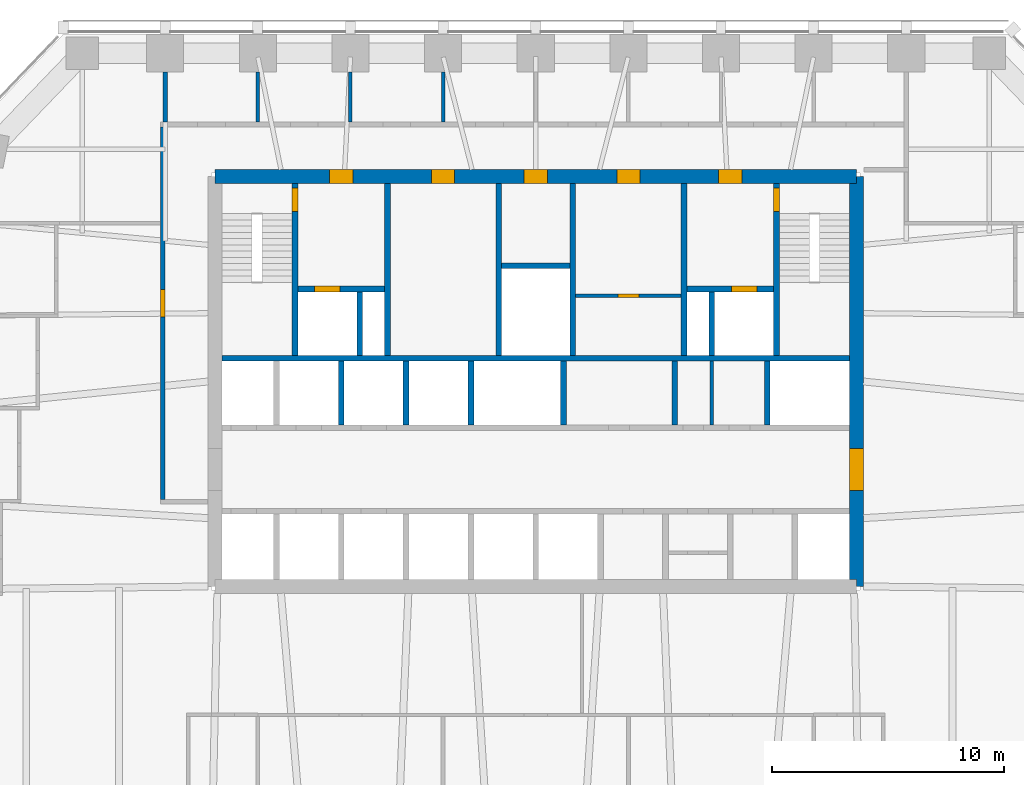
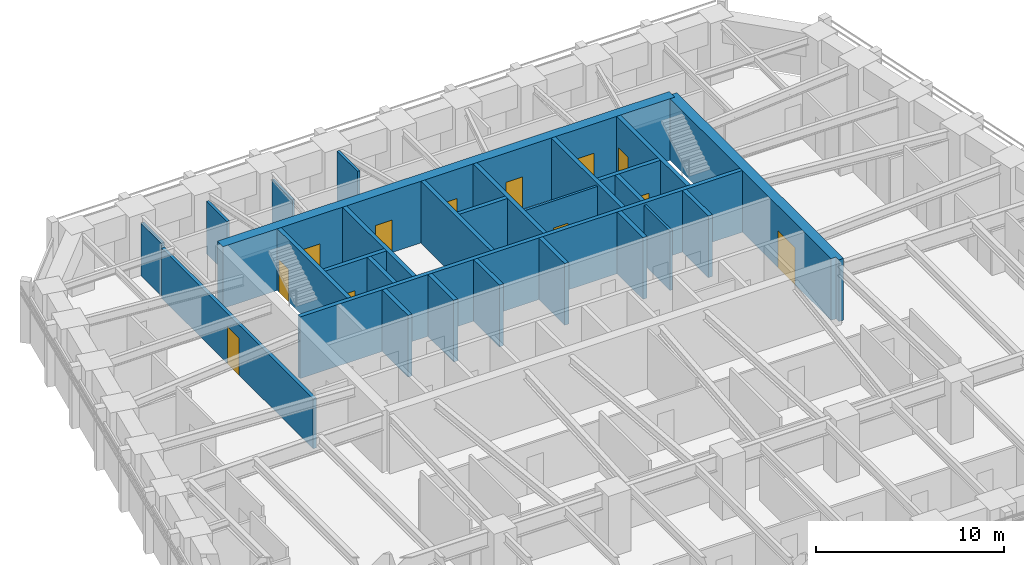
# One storey, part 8 of 11: 27 walls, 12 doors, 12 openings.
"""IFC4 building model written with IfcOpenShell, lengths in metres."""

from ifc_helpers import new_model, si_unit, direction, frame, frame_2d, origin, place, context, subcontext, project, spatial, polyline, rectangle, outline, extrude, material, layer, layer_set, type_object, element, fill, save


model = new_model("IFC4")

# Units and contexts
model_context = context("Model", 3, precision=1e-05, world=origin(), true_north=direction((0.0, 1.0)))
body_context = subcontext(model_context, "Body", "Model", "MODEL_VIEW")
ifc_project = project(units=[si_unit("LENGTHUNIT", "METRE"), si_unit("AREAUNIT", "SQUARE_METRE"), si_unit("VOLUMEUNIT", "CUBIC_METRE"), si_unit("PLANEANGLEUNIT", "RADIAN"), si_unit("MASSUNIT", "GRAM", prefix="KILO")], contexts=[model_context])

# Site, building, storey
site_placement = place(None, origin())
site = spatial("IfcSite", under=ifc_project, at=site_placement, CompositionType="ELEMENT")
building_placement = place(site_placement, origin())
building = spatial("IfcBuilding", under=site, at=building_placement, Name="Isbrekke Arena Tower", CompositionType="ELEMENT")
storey_placement = place(building_placement, frame((0.0, 0.0, 202.0)))
storey = spatial("IfcBuildingStorey", under=building, at=storey_placement, Name="L46", CompositionType="ELEMENT", Elevation=202.0)

# Wall, opening, door
ifc_material_1 = material(Name="Concrete B55 (C55/67)", Category="concrete")
ifc_layer_1 = layer(ifc_material_1, 0.60009765625)
ifc_layer_set_1 = layer_set([ifc_layer_1], Name="CW4 CORE WALL 600")
wall_type_1 = type_object("IfcWallType", Name="CW4 CORE WALL 600", PredefinedType="SHEAR", material=ifc_layer_set_1)
wall_1_placement = place(storey_placement, frame((13.85009765625, 6.14990234375, 0.0), z_axis=(0.0, 0.0, 1.0), x_axis=(0.0, 1.0, 0.0)))
wall_1 = element("IfcWall", 1, at=wall_1_placement, inside=storey, type_object=wall_type_1, Name="Core wall E L46", PredefinedType="SHEAR", context=body_context, shape_type="SweptSolid", body=[
    extrude(outline(polyline([(0.0, -0.300048828125), (17.7001953125, -0.300048828125), (17.7001953125, 0.0), (17.400146484375, 0.0), (17.400146484375, 0.300048828125), (0.300048828125, 0.300048828125), (0.300048828125, 0.0), (0.0, 0.0), (0.0, -0.300048828125)])), origin(), (0.0, 0.0, 1.0), 4.0),
])
opening_1_placement = place(wall_1_placement, frame((4.14990234375, 0.0, 0.0)))
opening_1 = element("IfcOpeningElement", 2, at=opening_1_placement, cuts=wall_1, Name="Opening D1", PredefinedType="OPENING", context=body_context, shape_type="SweptSolid", body=[
    extrude(rectangle(XDim=1.800048828125, YDim=2.39990234375, at=frame_2d((0.89990234375, 1.199951171875))), frame((0.0, 0.31494140625, 0.0), z_axis=(0.0, -1.0, 0.0), x_axis=(1.0, 0.0, 0.0)), (0.0, 0.0, 1.0), 0.6298828125),
])
ifc_material_2 = material(Name="Steel-framed glazed fire door", Category="steel")
door_type_1 = type_object("IfcDoorType", Name="D1 CORE LOBBY DOOR 1800 x 2400", OperationType="DOUBLE_DOOR_SINGLE_SWING", PredefinedType="DOOR", material=ifc_material_2)
door_1_placement = place(opening_1_placement, origin())
door_1 = element("IfcDoor", 3, at=door_1_placement, inside=storey, type_object=door_type_1, Name="D1 lift lobby door east L46", OperationType="DOUBLE_DOOR_SINGLE_SWING", OverallHeight=2.39990234375, OverallWidth=1.800048828125, PredefinedType="DOOR", context=body_context, shape_type="SweptSolid", body=[
    extrude(rectangle(XDim=1.800048828125, YDim=2.39990234375, at=frame_2d((0.89990234375, 1.199951171875))), frame((0.0, 0.2998046875, 0.0), z_axis=(0.0, -1.0, 0.0), x_axis=(1.0, 0.0, 0.0)), (0.0, 0.0, 1.0), 0.599609375),
])
fill(opening_1, door_1)

# Wall, openings, doors
wall_2_placement = place(storey_placement, frame((13.85009765625, 23.85009765625, 0.0), z_axis=(0.0, 0.0, 1.0), x_axis=(-1.0, 0.0, 0.0)))
wall_2 = element("IfcWall", 4, at=wall_2_placement, inside=storey, type_object=wall_type_1, Name="Core wall N L46", PredefinedType="SHEAR", context=body_context, shape_type="SweptSolid", body=[
    extrude(rectangle(XDim=27.7001953125, YDim=0.60009765625, at=frame_2d((13.85009765625, 0.0))), origin(), (0.0, 0.0, 1.0), 4.0),
])
opening_2_placement = place(wall_2_placement, frame((21.75, 0.0, 0.0)))
opening_2 = element("IfcOpeningElement", 5, at=opening_2_placement, cuts=wall_2, Name="Opening D3", PredefinedType="OPENING", context=body_context, shape_type="SweptSolid", body=[
    extrude(rectangle(XDim=1.0, YDim=2.10009765625, at=frame_2d((0.5, 1.050048828125))), frame((0.0, 0.31494140625, 0.0), z_axis=(0.0, -1.0, 0.0), x_axis=(1.0, 0.0, 0.0)), (0.0, 0.0, 1.0), 0.6298828125),
])
opening_3_placement = place(wall_2_placement, frame((4.949951171875, 0.0, 0.0)))
opening_3 = element("IfcOpeningElement", 6, at=opening_3_placement, cuts=wall_2, Name="Opening D3", PredefinedType="OPENING", context=body_context, shape_type="SweptSolid", body=[
    extrude(rectangle(XDim=1.0, YDim=2.10009765625, at=frame_2d((0.5, 1.050048828125))), frame((0.0, 0.31494140625, 0.0), z_axis=(0.0, -1.0, 0.0), x_axis=(1.0, 0.0, 0.0)), (0.0, 0.0, 1.0), 0.6298828125),
])
opening_4_placement = place(wall_2_placement, frame((17.35009765625, 0.0, 0.0)))
opening_4 = element("IfcOpeningElement", 7, at=opening_4_placement, cuts=wall_2, Name="Opening D4", PredefinedType="OPENING", context=body_context, shape_type="SweptSolid", body=[
    extrude(rectangle(XDim=1.0, YDim=2.10009765625, at=frame_2d((0.5, 1.050048828125))), frame((0.0, 0.31494140625, 0.0), z_axis=(0.0, -1.0, 0.0), x_axis=(1.0, 0.0, 0.0)), (0.0, 0.0, 1.0), 0.6298828125),
])
opening_5_placement = place(wall_2_placement, frame((13.35009765625, 0.0, 0.0)))
opening_5 = element("IfcOpeningElement", 8, at=opening_5_placement, cuts=wall_2, Name="Opening D4", PredefinedType="OPENING", context=body_context, shape_type="SweptSolid", body=[
    extrude(rectangle(XDim=1.0, YDim=2.10009765625, at=frame_2d((0.5, 1.050048828125))), frame((0.0, 0.31494140625, 0.0), z_axis=(0.0, -1.0, 0.0), x_axis=(1.0, 0.0, 0.0)), (0.0, 0.0, 1.0), 0.6298828125),
])
opening_6_placement = place(wall_2_placement, frame((9.35009765625, 0.0, 0.0)))
opening_6 = element("IfcOpeningElement", 9, at=opening_6_placement, cuts=wall_2, Name="Opening D4", PredefinedType="OPENING", context=body_context, shape_type="SweptSolid", body=[
    extrude(rectangle(XDim=1.0, YDim=2.10009765625, at=frame_2d((0.5, 1.050048828125))), frame((0.0, 0.31494140625, 0.0), z_axis=(0.0, -1.0, 0.0), x_axis=(1.0, 0.0, 0.0)), (0.0, 0.0, 1.0), 0.6298828125),
])
ifc_material_3 = material(Name="Steel fire door", Category="steel")
door_type_2 = type_object("IfcDoorType", Name="D3 FIRE LOBBY DOOR 1000 x 2100", OperationType="SINGLE_SWING_RIGHT", PredefinedType="DOOR", material=ifc_material_3)
door_2_placement = place(opening_2_placement, origin())
door_2 = element("IfcDoor", 10, at=door_2_placement, inside=storey, type_object=door_type_2, Name="D3 fire-fighting lobby door L46", OperationType="SINGLE_SWING_RIGHT", OverallHeight=2.10009765625, OverallWidth=1.0, PredefinedType="DOOR", context=body_context, shape_type="SweptSolid", body=[
    extrude(rectangle(XDim=1.0, YDim=2.10009765625, at=frame_2d((0.5, 1.050048828125))), frame((0.0, 0.2998046875, 0.0), z_axis=(0.0, -1.0, 0.0), x_axis=(1.0, 0.0, 0.0)), (0.0, 0.0, 1.0), 0.599609375),
])
fill(opening_2, door_2)
door_3_placement = place(opening_3_placement, origin())
door_3 = element("IfcDoor", 11, at=door_3_placement, inside=storey, type_object=door_type_2, Name="D3 fire-fighting lobby door L46", OperationType="SINGLE_SWING_RIGHT", OverallHeight=2.10009765625, OverallWidth=1.0, PredefinedType="DOOR", context=body_context, shape_type="SweptSolid", body=[
    extrude(rectangle(XDim=1.0, YDim=2.10009765625, at=frame_2d((0.5, 1.050048828125))), frame((0.0, 0.2998046875, 0.0), z_axis=(0.0, -1.0, 0.0), x_axis=(1.0, 0.0, 0.0)), (0.0, 0.0, 1.0), 0.599609375),
])
fill(opening_3, door_3)
ifc_material_4 = material(Name="Timber door", Category="wood")
door_type_3 = type_object("IfcDoorType", Name="D4 WC DOOR 1000 x 2100", OperationType="SINGLE_SWING_LEFT", PredefinedType="DOOR", material=ifc_material_4)
door_4_placement = place(opening_4_placement, origin())
door_4 = element("IfcDoor", 12, at=door_4_placement, inside=storey, type_object=door_type_3, Name="D4 wc female door L46", OperationType="SINGLE_SWING_LEFT", OverallHeight=2.10009765625, OverallWidth=1.0, PredefinedType="DOOR", context=body_context, shape_type="SweptSolid", body=[
    extrude(rectangle(XDim=1.0, YDim=2.10009765625, at=frame_2d((0.5, 1.050048828125))), frame((0.0, 0.2998046875, 0.0), z_axis=(0.0, -1.0, 0.0), x_axis=(1.0, 0.0, 0.0)), (0.0, 0.0, 1.0), 0.599609375),
])
fill(opening_4, door_4)
door_5_placement = place(opening_5_placement, origin())
door_5 = element("IfcDoor", 13, at=door_5_placement, inside=storey, type_object=door_type_3, Name="D4 accessible wc door L46", OperationType="SINGLE_SWING_LEFT", OverallHeight=2.10009765625, OverallWidth=1.0, PredefinedType="DOOR", context=body_context, shape_type="SweptSolid", body=[
    extrude(rectangle(XDim=1.0, YDim=2.10009765625, at=frame_2d((0.5, 1.050048828125))), frame((0.0, 0.2998046875, 0.0), z_axis=(0.0, -1.0, 0.0), x_axis=(1.0, 0.0, 0.0)), (0.0, 0.0, 1.0), 0.599609375),
])
fill(opening_5, door_5)
door_6_placement = place(opening_6_placement, origin())
door_6 = element("IfcDoor", 14, at=door_6_placement, inside=storey, type_object=door_type_3, Name="D4 wc male door L46", OperationType="SINGLE_SWING_LEFT", OverallHeight=2.10009765625, OverallWidth=1.0, PredefinedType="DOOR", context=body_context, shape_type="SweptSolid", body=[
    extrude(rectangle(XDim=1.0, YDim=2.10009765625, at=frame_2d((0.5, 1.050048828125))), frame((0.0, 0.2998046875, 0.0), z_axis=(0.0, -1.0, 0.0), x_axis=(1.0, 0.0, 0.0)), (0.0, 0.0, 1.0), 0.599609375),
])
fill(opening_6, door_6)

# Walls
ifc_material_5 = material(Name="Concrete B45 (C45/55)", Category="concrete")
ifc_layer_2 = layer(ifc_material_5, 0.25)
ifc_layer_set_2 = layer_set([ifc_layer_2], Name="CW6 SHAFT WALL 250")
wall_type_2 = type_object("IfcWallType", Name="CW6 SHAFT WALL 250", PredefinedType="SHEAR", material=ifc_layer_set_2)
wall_3_placement = place(storey_placement, frame((-13.550048828125, 16.0, 0.0), z_axis=(0.0, 0.0, 1.0), x_axis=(1.0, 0.0, 0.0)))
element("IfcWall", 15, at=wall_3_placement, inside=storey, type_object=wall_type_2, Name="Core wall NB L46", PredefinedType="SHEAR", context=body_context, shape_type="SweptSolid", body=[
    extrude(rectangle(XDim=27.10009765625, YDim=0.25, at=frame_2d((13.550048828125, 0.0))), origin(), (0.0, 0.0, 1.0), 4.0),
])
for number, where, z_axis, x_axis, name in (
    (16, (-8.39990234375, 13.125, 0.0), (0.0, 0.0, 1.0), (0.0, 1.0, 0.0), "Core wall SN02 L46"),
    (17, (-5.60009765625, 13.125, 0.0), (0.0, 0.0, 1.0), (0.0, 1.0, 0.0), "Core wall SN03 L46"),
    (18, (-2.800048828125, 13.125, 0.0), (0.0, 0.0, 1.0), (0.0, 1.0, 0.0), "Core wall SN04 L46"),
    (19, (1.199951171875, 13.125, 0.0), (0.0, 0.0, 1.0), (0.0, 1.0, 0.0), "Core wall SN05 L46"),
    (20, (6.0, 13.125, 0.0), (0.0, 0.0, 1.0), (0.0, 1.0, 0.0), "Core wall SN06 L46"),
    (21, (10.0, 13.125, 0.0), (0.0, 0.0, 1.0), (0.0, 1.0, 0.0), "Core wall SN07 L46"),
):
    element("IfcWall", number, at=place(storey_placement, frame(where, z_axis=z_axis, x_axis=x_axis)), inside=storey, type_object=wall_type_2, Name=name, PredefinedType="SHEAR", context=body_context, shape_type="SweptSolid", body=[
        extrude(rectangle(XDim=2.75, YDim=0.25, at=frame_2d((1.375, 0.0))), origin(), (0.0, 0.0, 1.0), 4.0),
    ])

# Wall, opening, door
wall_4_placement = place(storey_placement, frame((-10.39990234375, 16.125, 0.0), z_axis=(0.0, 0.0, 1.0), x_axis=(0.0, 1.0, 0.0)))
wall_4 = element("IfcWall", 22, at=wall_4_placement, inside=storey, type_object=wall_type_2, Name="Core wall NV01 L46", PredefinedType="SHEAR", context=body_context, shape_type="SweptSolid", body=[
    extrude(rectangle(XDim=7.425048828125, YDim=0.25, at=frame_2d((3.71240234375, 0.0))), origin(), (0.0, 0.0, 1.0), 4.0),
])
opening_7_placement = place(wall_4_placement, frame((6.22509765625, 0.0, 0.0)))
opening_7 = element("IfcOpeningElement", 23, at=opening_7_placement, cuts=wall_4, Name="Opening D2", PredefinedType="OPENING", context=body_context, shape_type="SweptSolid", body=[
    extrude(rectangle(XDim=1.0, YDim=2.10009765625, at=frame_2d((0.5, 1.050048828125))), frame((0.0, 0.139892578125, 0.0), z_axis=(0.0, -1.0, 0.0), x_axis=(1.0, 0.0, 0.0)), (0.0, 0.0, 1.0), 0.27978515625),
])
ifc_material_6 = material(Name="Steel fire door", Category="steel")
door_type_4 = type_object("IfcDoorType", Name="D2 STAIR DOOR 1000 x 2100", OperationType="SINGLE_SWING_LEFT", PredefinedType="DOOR", material=ifc_material_6)
door_7_placement = place(opening_7_placement, origin())
door_7 = element("IfcDoor", 24, at=door_7_placement, inside=storey, type_object=door_type_4, Name="D2 stair door ST1 L46", OperationType="SINGLE_SWING_LEFT", OverallHeight=2.10009765625, OverallWidth=1.0, PredefinedType="DOOR", context=body_context, shape_type="SweptSolid", body=[
    extrude(rectangle(XDim=1.0, YDim=2.10009765625, at=frame_2d((0.5, 1.050048828125))), frame((0.0, 0.124755859375, 0.0), z_axis=(0.0, -1.0, 0.0), x_axis=(1.0, 0.0, 0.0)), (0.0, 0.0, 1.0), 0.24951171875),
])
fill(opening_7, door_7)

# Walls
for number, where, z_axis, x_axis, name in (
    (25, (-6.39990234375, 16.125, 0.0), (0.0, 0.0, 1.0), (0.0, 1.0, 0.0), "Core wall NV02 L46"),
    (26, (-1.60009765625, 16.125, 0.0), (0.0, 0.0, 1.0), (0.0, 1.0, 0.0), "Core wall NV03 L46"),
    (27, (1.60009765625, 16.125, 0.0), (0.0, 0.0, 1.0), (0.0, 1.0, 0.0), "Core wall NV04 L46"),
    (28, (6.39990234375, 16.125, 0.0), (0.0, 0.0, 1.0), (0.0, 1.0, 0.0), "Core wall NV05 L46"),
):
    element("IfcWall", number, at=place(storey_placement, frame(where, z_axis=z_axis, x_axis=x_axis)), inside=storey, type_object=wall_type_2, Name=name, PredefinedType="SHEAR", context=body_context, shape_type="SweptSolid", body=[
        extrude(rectangle(XDim=7.425048828125, YDim=0.25, at=frame_2d((3.71240234375, 0.0))), origin(), (0.0, 0.0, 1.0), 4.0),
    ])

# Wall, opening, door
wall_5_placement = place(storey_placement, frame((10.39990234375, 16.125, 0.0), z_axis=(0.0, 0.0, 1.0), x_axis=(0.0, 1.0, 0.0)))
wall_5 = element("IfcWall", 29, at=wall_5_placement, inside=storey, type_object=wall_type_2, Name="Core wall NV06 L46", PredefinedType="SHEAR", context=body_context, shape_type="SweptSolid", body=[
    extrude(rectangle(XDim=7.425048828125, YDim=0.25, at=frame_2d((3.71240234375, 0.0))), origin(), (0.0, 0.0, 1.0), 4.0),
])
opening_8_placement = place(wall_5_placement, frame((6.22509765625, 0.0, 0.0)))
opening_8 = element("IfcOpeningElement", 30, at=opening_8_placement, cuts=wall_5, Name="Opening D2", PredefinedType="OPENING", context=body_context, shape_type="SweptSolid", body=[
    extrude(rectangle(XDim=1.0, YDim=2.10009765625, at=frame_2d((0.5, 1.050048828125))), frame((0.0, 0.139892578125, 0.0), z_axis=(0.0, -1.0, 0.0), x_axis=(1.0, 0.0, 0.0)), (0.0, 0.0, 1.0), 0.27978515625),
])
door_8_placement = place(opening_8_placement, origin())
door_8 = element("IfcDoor", 31, at=door_8_placement, inside=storey, type_object=door_type_4, Name="D2 stair door ST2 L46", OperationType="SINGLE_SWING_LEFT", OverallHeight=2.10009765625, OverallWidth=1.0, PredefinedType="DOOR", context=body_context, shape_type="SweptSolid", body=[
    extrude(rectangle(XDim=1.0, YDim=2.10009765625, at=frame_2d((0.5, 1.050048828125))), frame((0.0, 0.124755859375, 0.0), z_axis=(0.0, -1.0, 0.0), x_axis=(1.0, 0.0, 0.0)), (0.0, 0.0, 1.0), 0.24951171875),
])
fill(opening_8, door_8)

wall_6_placement = place(storey_placement, frame((-10.27490234375, 19.0, 0.0), z_axis=(0.0, 0.0, 1.0), x_axis=(1.0, 0.0, 0.0)))
wall_6 = element("IfcWall", 32, at=wall_6_placement, inside=storey, type_object=wall_type_2, Name="Core wall NFW L46", PredefinedType="SHEAR", context=body_context, shape_type="SweptSolid", body=[
    extrude(rectangle(XDim=3.75, YDim=0.25, at=frame_2d((1.875, 0.0))), origin(), (0.0, 0.0, 1.0), 4.0),
])
opening_9_placement = place(wall_6_placement, frame((0.72509765625, 0.0, 0.0)))
opening_9 = element("IfcOpeningElement", 33, at=opening_9_placement, cuts=wall_6, Name="Opening LD2", PredefinedType="OPENING", context=body_context, shape_type="SweptSolid", body=[
    extrude(rectangle(XDim=1.10009765625, YDim=2.10009765625, at=frame_2d((0.550048828125, 1.050048828125))), frame((0.0, 0.139892578125, 0.0), z_axis=(0.0, -1.0, 0.0), x_axis=(1.0, 0.0, 0.0)), (0.0, 0.0, 1.0), 0.27978515625),
])
ifc_material_7 = material(Name="Stainless steel lift landing door", Category="steel")
door_type_5 = type_object("IfcDoorType", Name="LD2 FIRE-FIGHTING LIFT LANDING DOOR 1100 x 2100", OperationType="SLIDING_TO_RIGHT", PredefinedType="DOOR", material=ifc_material_7)
door_9_placement = place(opening_9_placement, origin())
door_9 = element("IfcDoor", 34, at=door_9_placement, inside=storey, type_object=door_type_5, Name="LD2 lift landing door LF L46", OperationType="SLIDING_TO_RIGHT", OverallHeight=2.10009765625, OverallWidth=1.10009765625, PredefinedType="DOOR", context=body_context, shape_type="SweptSolid", body=[
    extrude(rectangle(XDim=1.10009765625, YDim=2.10009765625, at=frame_2d((0.550048828125, 1.050048828125))), frame((0.0, 0.124755859375, 0.0), z_axis=(0.0, -1.0, 0.0), x_axis=(1.0, 0.0, 0.0)), (0.0, 0.0, 1.0), 0.24951171875),
])
fill(opening_9, door_9)

wall_7_placement = place(storey_placement, frame((6.52490234375, 19.0, 0.0), z_axis=(0.0, 0.0, 1.0), x_axis=(1.0, 0.0, 0.0)))
wall_7 = element("IfcWall", 35, at=wall_7_placement, inside=storey, type_object=wall_type_2, Name="Core wall NFE L46", PredefinedType="SHEAR", context=body_context, shape_type="SweptSolid", body=[
    extrude(rectangle(XDim=3.75, YDim=0.25, at=frame_2d((1.875, 0.0))), origin(), (0.0, 0.0, 1.0), 4.0),
])
opening_10_placement = place(wall_7_placement, frame((1.925048828125, 0.0, 0.0)))
opening_10 = element("IfcOpeningElement", 36, at=opening_10_placement, cuts=wall_7, Name="Opening LD2", PredefinedType="OPENING", context=body_context, shape_type="SweptSolid", body=[
    extrude(rectangle(XDim=1.10009765625, YDim=2.10009765625, at=frame_2d((0.550048828125, 1.050048828125))), frame((0.0, 0.139892578125, 0.0), z_axis=(0.0, -1.0, 0.0), x_axis=(1.0, 0.0, 0.0)), (0.0, 0.0, 1.0), 0.27978515625),
])
door_10_placement = place(opening_10_placement, origin())
door_10 = element("IfcDoor", 37, at=door_10_placement, inside=storey, type_object=door_type_5, Name="LD2 lift landing door LF L46", OperationType="SLIDING_TO_RIGHT", OverallHeight=2.10009765625, OverallWidth=1.10009765625, PredefinedType="DOOR", context=body_context, shape_type="SweptSolid", body=[
    extrude(rectangle(XDim=1.10009765625, YDim=2.10009765625, at=frame_2d((0.550048828125, 1.050048828125))), frame((0.0, 0.124755859375, 0.0), z_axis=(0.0, -1.0, 0.0), x_axis=(1.0, 0.0, 0.0)), (0.0, 0.0, 1.0), 0.24951171875),
])
fill(opening_10, door_10)

# Walls
for number, where, z_axis, x_axis, name in (
    (38, (-7.60009765625, 16.125, 0.0), (0.0, 0.0, 1.0), (0.0, 1.0, 0.0), "Core wall NFS1 L46"),
    (39, (7.60009765625, 16.125, 0.0), (0.0, 0.0, 1.0), (0.0, 1.0, 0.0), "Core wall NFS2 L46"),
):
    element("IfcWall", number, at=place(storey_placement, frame(where, z_axis=z_axis, x_axis=x_axis)), inside=storey, type_object=wall_type_2, Name=name, PredefinedType="SHEAR", context=body_context, shape_type="SweptSolid", body=[
        extrude(rectangle(XDim=2.75, YDim=0.25, at=frame_2d((1.375, 0.0))), origin(), (0.0, 0.0, 1.0), 4.0),
    ])
wall_8_placement = place(storey_placement, frame((-1.47509765625, 20.0, 0.0), z_axis=(0.0, 0.0, 1.0), x_axis=(1.0, 0.0, 0.0)))
element("IfcWall", 40, at=wall_8_placement, inside=storey, type_object=wall_type_2, Name="Core wall NWC L46", PredefinedType="SHEAR", context=body_context, shape_type="SweptSolid", body=[
    extrude(rectangle(XDim=2.9501953125, YDim=0.25, at=frame_2d((1.47509765625, 0.0))), origin(), (0.0, 0.0, 1.0), 4.0),
])
ifc_material_8 = material(Name="Gypsum board partition on steel studs", Category="steel")
ifc_layer_3 = layer(ifc_material_8, 0.14990234375)
ifc_layer_set_3 = layer_set([ifc_layer_3], Name="IW1 PARTITION 150")
wall_type_3 = type_object("IfcWallType", Name="IW1 PARTITION 150", PredefinedType="PARTITIONING", material=ifc_layer_set_3)
for number, where, z_axis, x_axis, name in (
    (41, (-12.0, 26.199951171875, 0.0), (0.0, 0.0, 1.0), (0.0, 1.0, 0.0), "IW1 partition 150 L46"),
    (42, (-8.0, 26.199951171875, 0.0), (0.0, 0.0, 1.0), (0.0, 1.0, 0.0), "IW1 partition 150 L46"),
):
    element("IfcWall", number, at=place(storey_placement, frame(where, z_axis=z_axis, x_axis=x_axis)), inside=storey, type_object=wall_type_3, Name=name, PredefinedType="PARTITIONING", context=body_context, shape_type="SweptSolid", body=[
        extrude(rectangle(XDim=2.175048828125, YDim=0.14990234375, at=frame_2d((1.08740234375, 0.0))), origin(), (0.0, 0.0, 1.0), 3.39990234375),
    ])
wall_9_placement = place(storey_placement, frame((-4.0, 26.199951171875, 0.0), z_axis=(0.0, 0.0, 1.0), x_axis=(0.0, 1.0, 0.0)))
element("IfcWall", 43, at=wall_9_placement, inside=storey, type_object=wall_type_3, Name="IW1 partition 150 L46", PredefinedType="PARTITIONING", context=body_context, shape_type="SweptSolid", body=[
    extrude(rectangle(XDim=2.175048828125, YDim=0.14990234375, at=frame_2d((1.08740234375, 0.0))), origin(), (0.0, 0.0, 1.0), 3.85009765625),
])

# Wall, opening, door
ifc_material_9 = material(Name="Gypsum board fire-cell wall on steel studs, two layers each side", Category="steel")
ifc_layer_4 = layer(ifc_material_9, 0.199951171875)
ifc_layer_set_4 = layer_set([ifc_layer_4], Name="IW3 FIRE-CELL WALL 200")
wall_type_4 = type_object("IfcWallType", Name="IW3 FIRE-CELL WALL 200", PredefinedType="PARTITIONING", material=ifc_layer_set_4)
wall_10_placement = place(storey_placement, frame((-16.10009765625, 9.89990234375, 0.0), z_axis=(0.0, 0.0, 1.0), x_axis=(0.0, 1.0, 0.0)))
wall_10 = element("IfcWall", 44, at=wall_10_placement, inside=storey, type_object=wall_type_4, Name="IW3 fire-cell wall 200 L46", PredefinedType="PARTITIONING", context=body_context, shape_type="SweptSolid", body=[
    extrude(rectangle(XDim=16.10009765625, YDim=0.199951171875, at=frame_2d((8.050048828125, 0.0))), origin(), (0.0, 0.0, 1.0), 3.25),
])
opening_11_placement = place(wall_10_placement, frame((7.8798828125, 0.0, 0.0)))
opening_11 = element("IfcOpeningElement", 45, at=opening_11_placement, cuts=wall_10, Name="Opening D12", PredefinedType="OPENING", context=body_context, shape_type="SweptSolid", body=[
    extrude(rectangle(XDim=1.199951171875, YDim=2.39990234375, at=frame_2d((0.60009765625, 1.199951171875))), frame((0.0, 0.11474609375, 0.0), z_axis=(0.0, -1.0, 0.0), x_axis=(1.0, 0.0, 0.0)), (0.0, 0.0, 1.0), 0.229736328125),
])
ifc_material_10 = material(Name="Timber fire door with vision panel", Category="wood")
door_type_6 = type_object("IfcDoorType", Name="D12 SUITE ENTRANCE DOOR 1200 x 2400", OperationType="SINGLE_SWING_LEFT", PredefinedType="DOOR", material=ifc_material_10)
door_11_placement = place(opening_11_placement, origin())
door_11 = element("IfcDoor", 46, at=door_11_placement, inside=storey, type_object=door_type_6, Name="D12 suite entrance A door L46", OperationType="SINGLE_SWING_LEFT", OverallHeight=2.39990234375, OverallWidth=1.199951171875, PredefinedType="DOOR", context=body_context, shape_type="SweptSolid", body=[
    extrude(rectangle(XDim=1.199951171875, YDim=2.39990234375, at=frame_2d((0.60009765625, 1.199951171875))), frame((0.0, 0.099609375, 0.0), z_axis=(0.0, -1.0, 0.0), x_axis=(1.0, 0.0, 0.0)), (0.0, 0.0, 1.0), 0.199462890625),
])
fill(opening_11, door_11)

# Wall
wall_11_placement = place(storey_placement, frame((-16.0, 26.199951171875, 0.0), z_axis=(0.0, 0.0, 1.0), x_axis=(0.0, 1.0, 0.0)))
element("IfcWall", 47, at=wall_11_placement, inside=storey, type_object=wall_type_4, Name="IW3 fire-cell wall 200 L46", PredefinedType="PARTITIONING", context=body_context, shape_type="SweptSolid", body=[
    extrude(rectangle(XDim=2.175048828125, YDim=0.199951171875, at=frame_2d((1.08740234375, 0.0))), origin(), (0.0, 0.0, 1.0), 3.39990234375),
])

# Wall, opening, door
ifc_material_11 = material(Name="Gypsum board fire-rated partition on steel studs, two layers each side", Category="steel")
ifc_layer_5 = layer(ifc_material_11, 0.14990234375)
ifc_layer_set_5 = layer_set([ifc_layer_5], Name="IW5 FIRE-RATED PARTITION 150")
wall_type_5 = type_object("IfcWallType", Name="IW5 FIRE-RATED PARTITION 150", PredefinedType="PARTITIONING", material=ifc_layer_set_5)
wall_12_placement = place(storey_placement, frame((1.72509765625, 18.699951171875, 0.0), z_axis=(0.0, 0.0, 1.0), x_axis=(1.0, 0.0, 0.0)))
wall_12 = element("IfcWall", 48, at=wall_12_placement, inside=storey, type_object=wall_type_5, Name="IW5 fire-rated partition L46 cleaner's store M", PredefinedType="PARTITIONING", context=body_context, shape_type="SweptSolid", body=[
    extrude(rectangle(XDim=4.5498046875, YDim=0.14990234375, at=frame_2d((2.27490234375, 0.0))), origin(), (0.0, 0.0, 1.0), 3.85009765625),
])
opening_12_placement = place(wall_12_placement, frame((1.824951171875, 0.0, 0.0)))
opening_12 = element("IfcOpeningElement", 49, at=opening_12_placement, cuts=wall_12, Name="Opening D5", PredefinedType="OPENING", context=body_context, shape_type="SweptSolid", body=[
    extrude(rectangle(XDim=0.89990234375, YDim=2.10009765625, at=frame_2d((0.449951171875, 1.050048828125))), frame((0.0, 0.08984375, 0.0), z_axis=(0.0, -1.0, 0.0), x_axis=(1.0, 0.0, 0.0)), (0.0, 0.0, 1.0), 0.1796875),
])
ifc_material_12 = material(Name="Steel fire door", Category="steel")
door_type_7 = type_object("IfcDoorType", Name="D5 SERVICE DOOR 900 x 2100", OperationType="SINGLE_SWING_LEFT", PredefinedType="DOOR", material=ifc_material_12)
door_12_placement = place(opening_12_placement, origin())
door_12 = element("IfcDoor", 50, at=door_12_placement, inside=storey, type_object=door_type_7, Name="D5 cleaner's store door L46", OperationType="SINGLE_SWING_LEFT", OverallHeight=2.10009765625, OverallWidth=0.89990234375, PredefinedType="DOOR", context=body_context, shape_type="SweptSolid", body=[
    extrude(rectangle(XDim=0.89990234375, YDim=2.10009765625, at=frame_2d((0.449951171875, 1.050048828125))), frame((0.0, 0.07470703125, 0.0), z_axis=(0.0, -1.0, 0.0), x_axis=(1.0, 0.0, 0.0)), (0.0, 0.0, 1.0), 0.1494140625),
])
fill(opening_12, door_12)

# Wall
wall_13_placement = place(storey_placement, frame((7.60009765625, 13.125, 0.0), z_axis=(0.0, 0.0, 1.0), x_axis=(0.0, 1.0, 0.0)))
element("IfcWall", 51, at=wall_13_placement, inside=storey, type_object=wall_type_5, Name="IW5 fire-rated partition L46 core service rooms 1", PredefinedType="PARTITIONING", context=body_context, shape_type="SweptSolid", body=[
    extrude(rectangle(XDim=2.75, YDim=0.14990234375, at=frame_2d((1.375, 0.0))), origin(), (0.0, 0.0, 1.0), 3.85009765625),
])

save(model, "model.ifc")
